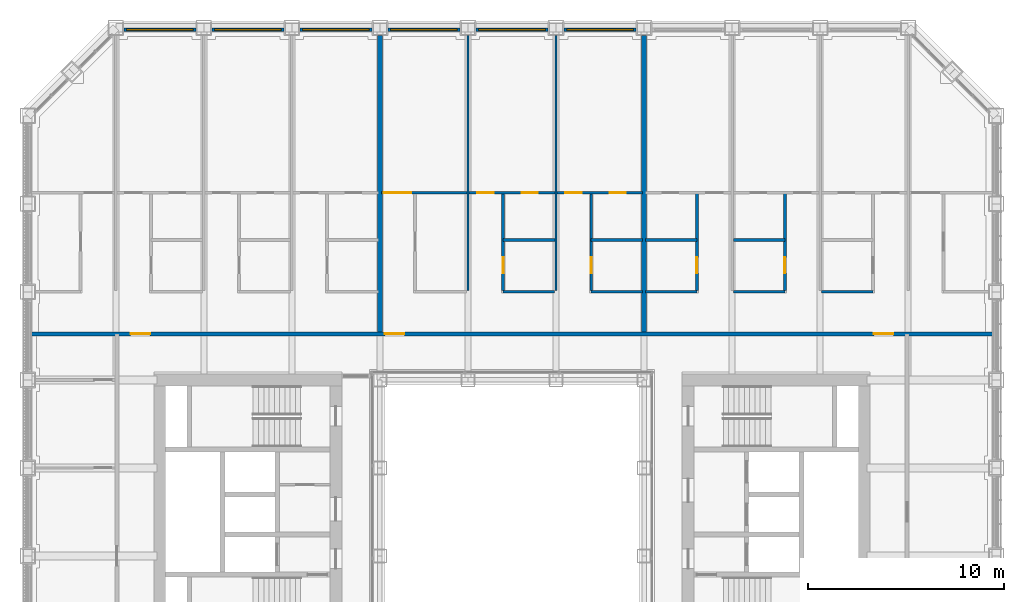
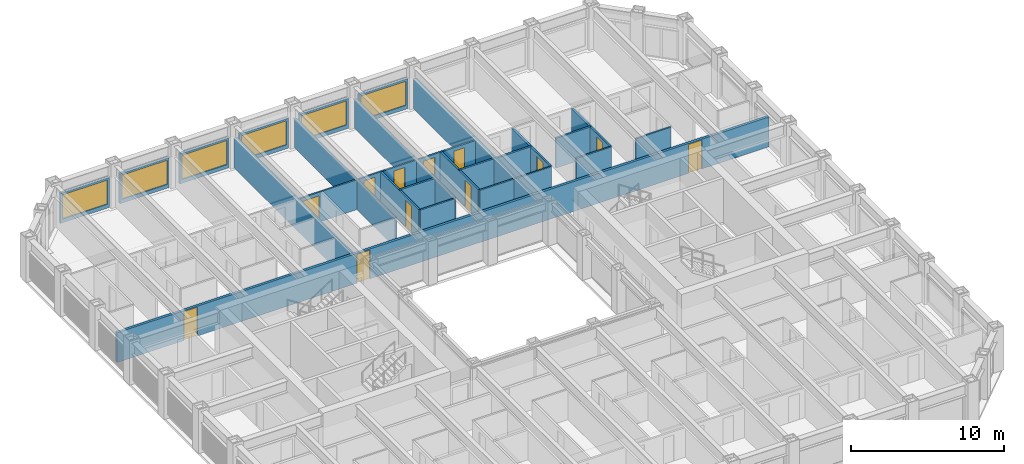
# One storey, part 14 of 21: 27 walls, 12 doors, 6 windows, 18 openings.
"""IFC4 building model written with IfcOpenShell, lengths in metres."""

from ifc_helpers import new_model, si_unit, direction, frame, frame_2d, origin, place, context, subcontext, project, spatial, rectangle, extrude, material, layer, layer_set, type_object, element, fill, save


model = new_model("IFC4")

# Units and contexts
model_context = context("Model", 3, precision=1e-05, world=origin(), true_north=direction((0.0, 1.0)))
body_context = subcontext(model_context, "Body", "Model", "MODEL_VIEW")
ifc_project = project(units=[si_unit("LENGTHUNIT", "METRE"), si_unit("AREAUNIT", "SQUARE_METRE"), si_unit("VOLUMEUNIT", "CUBIC_METRE"), si_unit("PLANEANGLEUNIT", "RADIAN"), si_unit("MASSUNIT", "GRAM", prefix="KILO")], contexts=[model_context])

# Site, building, storey
site_placement = place(None, origin())
site = spatial("IfcSite", under=ifc_project, at=site_placement, CompositionType="ELEMENT")
building_placement = place(site_placement, origin())
building = spatial("IfcBuilding", under=site, at=building_placement, Name="Msasa Ring Tower", CompositionType="ELEMENT")
storey_placement = place(building_placement, frame((0.0, 0.0, 93.0)))
storey = spatial("IfcBuildingStorey", under=building, at=storey_placement, Name="L24", CompositionType="ELEMENT", Elevation=93.0)

# Wall, opening, window
ifc_material_1 = material(Name="Terracotta rainscreen on blockwork", Category="masonry")
ifc_layer_1 = layer(ifc_material_1, 0.199951171875)
ifc_layer_set_1 = layer_set([ifc_layer_1], Name="FW1 TERRACOTTA-LINED INFILL BAY WALL 200")
wall_type_1 = type_object("IfcWallType", Name="FW1 TERRACOTTA-LINED INFILL BAY WALL 200", PredefinedType="SOLIDWALL", material=ifc_layer_set_1)
wall_1_placement = place(storey_placement, frame((-19.844970703125, 24.64990234375, 0.0), z_axis=(0.0, 0.0, 1.0), x_axis=(1.0, 0.0, 0.0)))
wall_1 = element("IfcWall", 1, at=wall_1_placement, inside=storey, type_object=wall_type_1, Name="Infill bay wall N L24 22", PredefinedType="SOLIDWALL", context=body_context, shape_type="SweptSolid", body=[
    extrude(rectangle(XDim=3.68994140625, YDim=0.199951171875, at=frame_2d((1.844970703125, 0.0))), origin(), (0.0, 0.0, 1.0), 2.37890625),
])
opening_1_placement = place(wall_1_placement, frame((0.14501953125, 0.0, 0.300048828125)))
opening_1 = element("IfcOpeningElement", 2, at=opening_1_placement, cuts=wall_1, Name="Opening WN1", PredefinedType="OPENING", context=body_context, shape_type="SweptSolid", body=[
    extrude(rectangle(XDim=3.39990234375, YDim=1.928955078125, at=frame_2d((1.699951171875, 0.96435546875))), frame((0.0, 0.10986328125, 0.0), z_axis=(0.0, -1.0, 0.0), x_axis=(1.0, 0.0, 0.0)), (0.0, 0.0, 1.0), 0.219970703125),
])
ifc_material_2 = material(Name="Aluminium frame with clear glass", Category="aluminium")
window_type = type_object("IfcWindowType", Name="WN1 RESIDENCE WINDOW 3400x1929", PartitioningType="SINGLE_PANEL", PredefinedType="WINDOW", material=ifc_material_2)
window_1_placement = place(opening_1_placement, origin())
window_1 = element("IfcWindow", 3, at=window_1_placement, inside=storey, type_object=window_type, Name="Window N L24 22", OverallHeight=1.928955078125, OverallWidth=3.39990234375, PartitioningType="SINGLE_PANEL", PredefinedType="WINDOW", context=body_context, shape_type="SweptSolid", body=[
    extrude(rectangle(XDim=3.39990234375, YDim=1.928955078125, at=frame_2d((1.699951171875, 0.96435546875))), frame((0.0, 0.030029296875, 0.0), z_axis=(0.0, -1.0, 0.0), x_axis=(1.0, 0.0, 0.0)), (0.0, 0.0, 1.0), 0.06005859375),
])
fill(opening_1, window_1)

wall_2_placement = place(storey_placement, frame((-15.344970703125, 24.64990234375, 0.0), z_axis=(0.0, 0.0, 1.0), x_axis=(1.0, 0.0, 0.0)))
wall_2 = element("IfcWall", 4, at=wall_2_placement, inside=storey, type_object=wall_type_1, Name="Infill bay wall N L24 23", PredefinedType="SOLIDWALL", context=body_context, shape_type="SweptSolid", body=[
    extrude(rectangle(XDim=3.68994140625, YDim=0.199951171875, at=frame_2d((1.844970703125, 0.0))), origin(), (0.0, 0.0, 1.0), 2.37890625),
])
opening_2_placement = place(wall_2_placement, frame((0.14501953125, 0.0, 0.300048828125)))
opening_2 = element("IfcOpeningElement", 5, at=opening_2_placement, cuts=wall_2, Name="Opening WN1", PredefinedType="OPENING", context=body_context, shape_type="SweptSolid", body=[
    extrude(rectangle(XDim=3.39990234375, YDim=1.928955078125, at=frame_2d((1.699951171875, 0.96435546875))), frame((0.0, 0.10986328125, 0.0), z_axis=(0.0, -1.0, 0.0), x_axis=(1.0, 0.0, 0.0)), (0.0, 0.0, 1.0), 0.219970703125),
])
window_2_placement = place(opening_2_placement, origin())
window_2 = element("IfcWindow", 6, at=window_2_placement, inside=storey, type_object=window_type, Name="Window N L24 23", OverallHeight=1.928955078125, OverallWidth=3.39990234375, PartitioningType="SINGLE_PANEL", PredefinedType="WINDOW", context=body_context, shape_type="SweptSolid", body=[
    extrude(rectangle(XDim=3.39990234375, YDim=1.928955078125, at=frame_2d((1.699951171875, 0.96435546875))), frame((0.0, 0.030029296875, 0.0), z_axis=(0.0, -1.0, 0.0), x_axis=(1.0, 0.0, 0.0)), (0.0, 0.0, 1.0), 0.06005859375),
])
fill(opening_2, window_2)

wall_3_placement = place(storey_placement, frame((-10.844970703125, 24.64990234375, 0.0), z_axis=(0.0, 0.0, 1.0), x_axis=(1.0, 0.0, 0.0)))
wall_3 = element("IfcWall", 7, at=wall_3_placement, inside=storey, type_object=wall_type_1, Name="Infill bay wall N L24 24", PredefinedType="SOLIDWALL", context=body_context, shape_type="SweptSolid", body=[
    extrude(rectangle(XDim=3.68994140625, YDim=0.199951171875, at=frame_2d((1.844970703125, 0.0))), origin(), (0.0, 0.0, 1.0), 2.37890625),
])
opening_3_placement = place(wall_3_placement, frame((0.14501953125, 0.0, 0.300048828125)))
opening_3 = element("IfcOpeningElement", 8, at=opening_3_placement, cuts=wall_3, Name="Opening WN1", PredefinedType="OPENING", context=body_context, shape_type="SweptSolid", body=[
    extrude(rectangle(XDim=3.39990234375, YDim=1.928955078125, at=frame_2d((1.699951171875, 0.96435546875))), frame((0.0, 0.10986328125, 0.0), z_axis=(0.0, -1.0, 0.0), x_axis=(1.0, 0.0, 0.0)), (0.0, 0.0, 1.0), 0.219970703125),
])
window_3_placement = place(opening_3_placement, origin())
window_3 = element("IfcWindow", 9, at=window_3_placement, inside=storey, type_object=window_type, Name="Window N L24 24", OverallHeight=1.928955078125, OverallWidth=3.39990234375, PartitioningType="SINGLE_PANEL", PredefinedType="WINDOW", context=body_context, shape_type="SweptSolid", body=[
    extrude(rectangle(XDim=3.39990234375, YDim=1.928955078125, at=frame_2d((1.699951171875, 0.96435546875))), frame((0.0, 0.030029296875, 0.0), z_axis=(0.0, -1.0, 0.0), x_axis=(1.0, 0.0, 0.0)), (0.0, 0.0, 1.0), 0.06005859375),
])
fill(opening_3, window_3)

wall_4_placement = place(storey_placement, frame((-6.344970703125, 24.64990234375, 0.0), z_axis=(0.0, 0.0, 1.0), x_axis=(1.0, 0.0, 0.0)))
wall_4 = element("IfcWall", 10, at=wall_4_placement, inside=storey, type_object=wall_type_1, Name="Infill bay wall N L24 25", PredefinedType="SOLIDWALL", context=body_context, shape_type="SweptSolid", body=[
    extrude(rectangle(XDim=3.68994140625, YDim=0.199951171875, at=frame_2d((1.844970703125, 0.0))), origin(), (0.0, 0.0, 1.0), 2.37890625),
])
opening_4_placement = place(wall_4_placement, frame((0.14501953125, 0.0, 0.300048828125)))
opening_4 = element("IfcOpeningElement", 11, at=opening_4_placement, cuts=wall_4, Name="Opening WN1", PredefinedType="OPENING", context=body_context, shape_type="SweptSolid", body=[
    extrude(rectangle(XDim=3.39990234375, YDim=1.928955078125, at=frame_2d((1.699951171875, 0.96435546875))), frame((0.0, 0.10986328125, 0.0), z_axis=(0.0, -1.0, 0.0), x_axis=(1.0, 0.0, 0.0)), (0.0, 0.0, 1.0), 0.219970703125),
])
window_4_placement = place(opening_4_placement, origin())
window_4 = element("IfcWindow", 12, at=window_4_placement, inside=storey, type_object=window_type, Name="Window N L24 25", OverallHeight=1.928955078125, OverallWidth=3.39990234375, PartitioningType="SINGLE_PANEL", PredefinedType="WINDOW", context=body_context, shape_type="SweptSolid", body=[
    extrude(rectangle(XDim=3.39990234375, YDim=1.928955078125, at=frame_2d((1.699951171875, 0.96435546875))), frame((0.0, 0.030029296875, 0.0), z_axis=(0.0, -1.0, 0.0), x_axis=(1.0, 0.0, 0.0)), (0.0, 0.0, 1.0), 0.06005859375),
])
fill(opening_4, window_4)

wall_5_placement = place(storey_placement, frame((-1.844970703125, 24.64990234375, 0.0), z_axis=(0.0, 0.0, 1.0), x_axis=(1.0, 0.0, 0.0)))
wall_5 = element("IfcWall", 13, at=wall_5_placement, inside=storey, type_object=wall_type_1, Name="Infill bay wall N L24 26", PredefinedType="SOLIDWALL", context=body_context, shape_type="SweptSolid", body=[
    extrude(rectangle(XDim=3.68994140625, YDim=0.199951171875, at=frame_2d((1.844970703125, 0.0))), origin(), (0.0, 0.0, 1.0), 2.37890625),
])
opening_5_placement = place(wall_5_placement, frame((0.14501953125, 0.0, 0.300048828125)))
opening_5 = element("IfcOpeningElement", 14, at=opening_5_placement, cuts=wall_5, Name="Opening WN1", PredefinedType="OPENING", context=body_context, shape_type="SweptSolid", body=[
    extrude(rectangle(XDim=3.39990234375, YDim=1.928955078125, at=frame_2d((1.699951171875, 0.96435546875))), frame((0.0, 0.10986328125, 0.0), z_axis=(0.0, -1.0, 0.0), x_axis=(1.0, 0.0, 0.0)), (0.0, 0.0, 1.0), 0.219970703125),
])
window_5_placement = place(opening_5_placement, origin())
window_5 = element("IfcWindow", 15, at=window_5_placement, inside=storey, type_object=window_type, Name="Window N L24 26", OverallHeight=1.928955078125, OverallWidth=3.39990234375, PartitioningType="SINGLE_PANEL", PredefinedType="WINDOW", context=body_context, shape_type="SweptSolid", body=[
    extrude(rectangle(XDim=3.39990234375, YDim=1.928955078125, at=frame_2d((1.699951171875, 0.96435546875))), frame((0.0, 0.030029296875, 0.0), z_axis=(0.0, -1.0, 0.0), x_axis=(1.0, 0.0, 0.0)), (0.0, 0.0, 1.0), 0.06005859375),
])
fill(opening_5, window_5)

wall_6_placement = place(storey_placement, frame((2.655029296875, 24.64990234375, 0.0), z_axis=(0.0, 0.0, 1.0), x_axis=(1.0, 0.0, 0.0)))
wall_6 = element("IfcWall", 16, at=wall_6_placement, inside=storey, type_object=wall_type_1, Name="Infill bay wall N L24 27", PredefinedType="SOLIDWALL", context=body_context, shape_type="SweptSolid", body=[
    extrude(rectangle(XDim=3.68994140625, YDim=0.199951171875, at=frame_2d((1.844970703125, 0.0))), origin(), (0.0, 0.0, 1.0), 2.37890625),
])
opening_6_placement = place(wall_6_placement, frame((0.14501953125, 0.0, 0.300048828125)))
opening_6 = element("IfcOpeningElement", 17, at=opening_6_placement, cuts=wall_6, Name="Opening WN1", PredefinedType="OPENING", context=body_context, shape_type="SweptSolid", body=[
    extrude(rectangle(XDim=3.39990234375, YDim=1.928955078125, at=frame_2d((1.699951171875, 0.96435546875))), frame((0.0, 0.10986328125, 0.0), z_axis=(0.0, -1.0, 0.0), x_axis=(1.0, 0.0, 0.0)), (0.0, 0.0, 1.0), 0.219970703125),
])
window_6_placement = place(opening_6_placement, origin())
window_6 = element("IfcWindow", 18, at=window_6_placement, inside=storey, type_object=window_type, Name="Window N L24 27", OverallHeight=1.928955078125, OverallWidth=3.39990234375, PartitioningType="SINGLE_PANEL", PredefinedType="WINDOW", context=body_context, shape_type="SweptSolid", body=[
    extrude(rectangle(XDim=3.39990234375, YDim=1.928955078125, at=frame_2d((1.699951171875, 0.96435546875))), frame((0.0, 0.030029296875, 0.0), z_axis=(0.0, -1.0, 0.0), x_axis=(1.0, 0.0, 0.0)), (0.0, 0.0, 1.0), 0.06005859375),
])
fill(opening_6, window_6)

# Wall, openings, doors
ifc_material_3 = material(Name="Concrete blockwork", Category="masonry")
ifc_layer_2 = layer(ifc_material_3, 0.199951171875)
ifc_layer_set_2 = layer_set([ifc_layer_2], Name="PT1 CORRIDOR WALL 200")
wall_type_2 = type_object("IfcWallType", Name="PT1 CORRIDOR WALL 200", PredefinedType="PARTITIONING", material=ifc_layer_set_2)
wall_7_placement = place(storey_placement, frame((-24.550048828125, 9.10009765625, 0.0), z_axis=(0.0, 0.0, 1.0), x_axis=(1.0, 0.0, 0.0)))
wall_7 = element("IfcWall", 19, at=wall_7_placement, inside=storey, type_object=wall_type_2, Name="Corridor wall L24-CORRN0", PredefinedType="PARTITIONING", context=body_context, shape_type="SweptSolid", body=[
    extrude(rectangle(XDim=49.10009765625, YDim=0.199951171875, at=frame_2d((24.550048828125, 0.0))), origin(), (0.0, 0.0, 1.0), 2.373291015625),
])
opening_7_placement = place(wall_7_placement, frame((5.050048828125, 0.0, 0.0)))
opening_7 = element("IfcOpeningElement", 20, at=opening_7_placement, cuts=wall_7, Name="Opening RG-031", PredefinedType="OPENING", context=body_context, shape_type="SweptSolid", body=[
    extrude(rectangle(XDim=1.0, YDim=2.300048828125, at=frame_2d((0.5, 1.14990234375))), frame((0.0, 0.10986328125, 0.0), z_axis=(0.0, -1.0, 0.0), x_axis=(1.0, 0.0, 0.0)), (0.0, 0.0, 1.0), 0.219970703125),
])
opening_8_placement = place(wall_7_placement, frame((18.050048828125, 0.0, 0.0)))
opening_8 = element("IfcOpeningElement", 21, at=opening_8_placement, cuts=wall_7, Name="Opening RG-032", PredefinedType="OPENING", context=body_context, shape_type="SweptSolid", body=[
    extrude(rectangle(XDim=1.0, YDim=2.300048828125, at=frame_2d((0.5, 1.14990234375))), frame((0.0, 0.10986328125, 0.0), z_axis=(0.0, -1.0, 0.0), x_axis=(1.0, 0.0, 0.0)), (0.0, 0.0, 1.0), 0.219970703125),
])
opening_9_placement = place(wall_7_placement, frame((43.050048828125, 0.0, 0.0)))
opening_9 = element("IfcOpeningElement", 22, at=opening_9_placement, cuts=wall_7, Name="Opening RG-033", PredefinedType="OPENING", context=body_context, shape_type="SweptSolid", body=[
    extrude(rectangle(XDim=1.0, YDim=2.300048828125, at=frame_2d((0.5, 1.14990234375))), frame((0.0, 0.10986328125, 0.0), z_axis=(0.0, -1.0, 0.0), x_axis=(1.0, 0.0, 0.0)), (0.0, 0.0, 1.0), 0.219970703125),
])
ifc_material_4 = material(Name="Timber door leaf in a steel frame", Category="steel")
door_type_1 = type_object("IfcDoorType", Name="D16 UPPER RESIDENCE ENTRANCE DOOR 1000x2300", OperationType="SINGLE_SWING_LEFT", PredefinedType="DOOR", material=ifc_material_4)
door_1_placement = place(opening_7_placement, origin())
door_1 = element("IfcDoor", 23, at=door_1_placement, inside=storey, type_object=door_type_1, Name="Door L24-UN00", OperationType="SINGLE_SWING_LEFT", OverallHeight=2.300048828125, OverallWidth=1.0, PredefinedType="DOOR", context=body_context, shape_type="SweptSolid", body=[
    extrude(rectangle(XDim=1.0, YDim=2.300048828125, at=frame_2d((0.5, 1.14990234375))), frame((0.0, 0.02490234375, 0.0), z_axis=(0.0, -1.0, 0.0), x_axis=(1.0, 0.0, 0.0)), (0.0, 0.0, 1.0), 0.050048828125),
])
fill(opening_7, door_1)
door_2_placement = place(opening_8_placement, origin())
door_2 = element("IfcDoor", 24, at=door_2_placement, inside=storey, type_object=door_type_1, Name="Door L24-UN01", OperationType="SINGLE_SWING_LEFT", OverallHeight=2.300048828125, OverallWidth=1.0, PredefinedType="DOOR", context=body_context, shape_type="SweptSolid", body=[
    extrude(rectangle(XDim=1.0, YDim=2.300048828125, at=frame_2d((0.5, 1.14990234375))), frame((0.0, 0.02490234375, 0.0), z_axis=(0.0, -1.0, 0.0), x_axis=(1.0, 0.0, 0.0)), (0.0, 0.0, 1.0), 0.050048828125),
])
fill(opening_8, door_2)
door_3_placement = place(opening_9_placement, origin())
door_3 = element("IfcDoor", 25, at=door_3_placement, inside=storey, type_object=door_type_1, Name="Door L24-UN02", OperationType="SINGLE_SWING_RIGHT", OverallHeight=2.300048828125, OverallWidth=1.0, PredefinedType="DOOR", context=body_context, shape_type="SweptSolid", body=[
    extrude(rectangle(XDim=1.0, YDim=2.300048828125, at=frame_2d((0.5, 1.14990234375))), frame((0.0, 0.02490234375, 0.0), z_axis=(0.0, -1.0, 0.0), x_axis=(1.0, 0.0, 0.0)), (0.0, 0.0, 1.0), 0.050048828125),
])
fill(opening_9, door_3)

# Walls
ifc_material_5 = material(Name="Dense concrete blockwork, plastered both faces", Category="masonry")
ifc_layer_3 = layer(ifc_material_5, 0.25)
ifc_layer_set_3 = layer_set([ifc_layer_3], Name="PT3 APARTMENT SEPARATING WALL 250")
wall_type_3 = type_object("IfcWallType", Name="PT3 APARTMENT SEPARATING WALL 250", PredefinedType="PARTITIONING", material=ifc_layer_set_3)
for number, where, z_axis, x_axis, name in (
    (26, (-6.75, 9.199951171875, 0.0), (0.0, 0.0, 1.0), (0.0, 1.0, 0.0), "Party wall L24-PWN-6.75"),
    (27, (6.75, 9.199951171875, 0.0), (0.0, 0.0, 1.0), (0.0, 1.0, 0.0), "Party wall L24-PWN+6.75"),
):
    element("IfcWall", number, at=place(storey_placement, frame(where, z_axis=z_axis, x_axis=x_axis)), inside=storey, type_object=wall_type_3, Name=name, PredefinedType="PARTITIONING", context=body_context, shape_type="SweptSolid", body=[
        extrude(rectangle(XDim=15.150146484375, YDim=0.25, at=frame_2d((7.5751953125, 0.0))), origin(), (0.0, 0.0, 1.0), 2.373291015625),
    ])

# Wall, opening, door
ifc_material_6 = material(Name="Moisture-resistant board on steel studs with a concealed cistern and pipe void, tiled", Category="steel")
ifc_layer_4 = layer(ifc_material_6, 0.14990234375)
ifc_layer_set_4 = layer_set([ifc_layer_4], Name="PT4 BATHROOM WET WALL 150")
wall_type_4 = type_object("IfcWallType", Name="PT4 BATHROOM WET WALL 150", PredefinedType="PARTITIONING", material=ifc_layer_set_4)
wall_8_placement = place(storey_placement, frame((-0.449951171875, 11.3125, 0.0), z_axis=(0.0, 0.0, 1.0), x_axis=(0.0, 1.0, 0.0)))
wall_8 = element("IfcWall", 28, at=wall_8_placement, inside=storey, type_object=wall_type_4, Name="Partition L24-UN01SX1", PredefinedType="PARTITIONING", context=body_context, shape_type="SweptSolid", body=[
    extrude(rectangle(XDim=5.0, YDim=0.14990234375, at=frame_2d((2.5, 0.0))), origin(), (0.0, 0.0, 1.0), 2.373291015625),
])
opening_10_placement = place(wall_8_placement, frame((0.89990234375, 0.0, 0.0)))
opening_10 = element("IfcOpeningElement", 29, at=opening_10_placement, cuts=wall_8, Name="Opening RG-026", PredefinedType="OPENING", context=body_context, shape_type="SweptSolid", body=[
    extrude(rectangle(XDim=0.800048828125, YDim=2.10009765625, at=frame_2d((0.39990234375, 1.050048828125))), frame((0.0, 0.0849609375, 0.0), z_axis=(0.0, -1.0, 0.0), x_axis=(1.0, 0.0, 0.0)), (0.0, 0.0, 1.0), 0.169921875),
])
ifc_material_7 = material(Name="Timber door leaf in a steel frame", Category="steel")
door_type_2 = type_object("IfcDoorType", Name="D21 POCKET SLIDING BATHROOM DOOR 800x2100", OperationType="SINGLE_SWING_LEFT", PredefinedType="DOOR", material=ifc_material_7)
door_4_placement = place(opening_10_placement, origin())
door_4 = element("IfcDoor", 30, at=door_4_placement, inside=storey, type_object=door_type_2, Name="Door L24-UN01B1", OperationType="SINGLE_SWING_LEFT", OverallHeight=2.10009765625, OverallWidth=0.800048828125, PredefinedType="DOOR", context=body_context, shape_type="SweptSolid", body=[
    extrude(rectangle(XDim=0.800048828125, YDim=2.10009765625, at=frame_2d((0.39990234375, 1.050048828125))), frame((0.0, 0.02490234375, 0.0), z_axis=(0.0, -1.0, 0.0), x_axis=(1.0, 0.0, 0.0)), (0.0, 0.0, 1.0), 0.050048828125),
])
fill(opening_10, door_4)

# Wall
wall_9_placement = place(storey_placement, frame((-0.449951171875, 13.91259765625, 0.0), z_axis=(0.0, 0.0, 1.0), x_axis=(1.0, 0.0, 0.0)))
element("IfcWall", 31, at=wall_9_placement, inside=storey, type_object=wall_type_4, Name="Partition L24-UN01SB1", PredefinedType="PARTITIONING", context=body_context, shape_type="SweptSolid", body=[
    extrude(rectangle(XDim=2.637451171875, YDim=0.14990234375, at=frame_2d((1.31884765625, 0.0))), origin(), (0.0, 0.0, 1.0), 2.373291015625),
])

# Wall, opening, door
wall_10_placement = place(storey_placement, frame((4.050048828125, 11.3125, 0.0), z_axis=(0.0, 0.0, 1.0), x_axis=(0.0, 1.0, 0.0)))
wall_10 = element("IfcWall", 32, at=wall_10_placement, inside=storey, type_object=wall_type_4, Name="Partition L24-UN01SX2", PredefinedType="PARTITIONING", context=body_context, shape_type="SweptSolid", body=[
    extrude(rectangle(XDim=5.0, YDim=0.14990234375, at=frame_2d((2.5, 0.0))), origin(), (0.0, 0.0, 1.0), 2.373291015625),
])
opening_11_placement = place(wall_10_placement, frame((0.89990234375, 0.0, 0.0)))
opening_11 = element("IfcOpeningElement", 33, at=opening_11_placement, cuts=wall_10, Name="Opening RG-027", PredefinedType="OPENING", context=body_context, shape_type="SweptSolid", body=[
    extrude(rectangle(XDim=0.800048828125, YDim=2.10009765625, at=frame_2d((0.39990234375, 1.050048828125))), frame((0.0, 0.0849609375, 0.0), z_axis=(0.0, -1.0, 0.0), x_axis=(1.0, 0.0, 0.0)), (0.0, 0.0, 1.0), 0.169921875),
])
door_5_placement = place(opening_11_placement, origin())
door_5 = element("IfcDoor", 34, at=door_5_placement, inside=storey, type_object=door_type_2, Name="Door L24-UN01B2", OperationType="SINGLE_SWING_LEFT", OverallHeight=2.10009765625, OverallWidth=0.800048828125, PredefinedType="DOOR", context=body_context, shape_type="SweptSolid", body=[
    extrude(rectangle(XDim=0.800048828125, YDim=2.10009765625, at=frame_2d((0.39990234375, 1.050048828125))), frame((0.0, 0.02490234375, 0.0), z_axis=(0.0, -1.0, 0.0), x_axis=(1.0, 0.0, 0.0)), (0.0, 0.0, 1.0), 0.050048828125),
])
fill(opening_11, door_5)

# Wall
wall_11_placement = place(storey_placement, frame((4.050048828125, 13.91259765625, 0.0), z_axis=(0.0, 0.0, 1.0), x_axis=(1.0, 0.0, 0.0)))
element("IfcWall", 35, at=wall_11_placement, inside=storey, type_object=wall_type_4, Name="Partition L24-UN01SB2", PredefinedType="PARTITIONING", context=body_context, shape_type="SweptSolid", body=[
    extrude(rectangle(XDim=2.632568359375, YDim=0.14990234375, at=frame_2d((1.31640625, 0.0))), origin(), (0.0, 0.0, 1.0), 2.373291015625),
])

# Wall, opening, door
wall_12_placement = place(storey_placement, frame((13.949951171875, 11.3125, 0.0), z_axis=(0.0, 0.0, 1.0), x_axis=(0.0, 1.0, 0.0)))
wall_12 = element("IfcWall", 36, at=wall_12_placement, inside=storey, type_object=wall_type_4, Name="Partition L24-UN02SX2", PredefinedType="PARTITIONING", context=body_context, shape_type="SweptSolid", body=[
    extrude(rectangle(XDim=5.0, YDim=0.14990234375, at=frame_2d((2.5, 0.0))), origin(), (0.0, 0.0, 1.0), 2.373291015625),
])
opening_12_placement = place(wall_12_placement, frame((0.89990234375, 0.0, 0.0)))
opening_12 = element("IfcOpeningElement", 37, at=opening_12_placement, cuts=wall_12, Name="Opening RG-029", PredefinedType="OPENING", context=body_context, shape_type="SweptSolid", body=[
    extrude(rectangle(XDim=0.800048828125, YDim=2.10009765625, at=frame_2d((0.39990234375, 1.050048828125))), frame((0.0, 0.0849609375, 0.0), z_axis=(0.0, -1.0, 0.0), x_axis=(1.0, 0.0, 0.0)), (0.0, 0.0, 1.0), 0.169921875),
])
door_6_placement = place(opening_12_placement, origin())
door_6 = element("IfcDoor", 38, at=door_6_placement, inside=storey, type_object=door_type_2, Name="Door L24-UN02B2", OperationType="SINGLE_SWING_LEFT", OverallHeight=2.10009765625, OverallWidth=0.800048828125, PredefinedType="DOOR", context=body_context, shape_type="SweptSolid", body=[
    extrude(rectangle(XDim=0.800048828125, YDim=2.10009765625, at=frame_2d((0.39990234375, 1.050048828125))), frame((0.0, 0.02490234375, 0.0), z_axis=(0.0, -1.0, 0.0), x_axis=(1.0, 0.0, 0.0)), (0.0, 0.0, 1.0), 0.050048828125),
])
fill(opening_12, door_6)

# Wall
wall_13_placement = place(storey_placement, frame((11.3125, 13.91259765625, 0.0), z_axis=(0.0, 0.0, 1.0), x_axis=(1.0, 0.0, 0.0)))
element("IfcWall", 39, at=wall_13_placement, inside=storey, type_object=wall_type_4, Name="Partition L24-UN02SB2", PredefinedType="PARTITIONING", context=body_context, shape_type="SweptSolid", body=[
    extrude(rectangle(XDim=2.637451171875, YDim=0.14990234375, at=frame_2d((1.31884765625, 0.0))), origin(), (0.0, 0.0, 1.0), 2.373291015625),
])

# Wall, opening, door
wall_14_placement = place(storey_placement, frame((9.449951171875, 11.3125, 0.0), z_axis=(0.0, 0.0, 1.0), x_axis=(0.0, 1.0, 0.0)))
wall_14 = element("IfcWall", 40, at=wall_14_placement, inside=storey, type_object=wall_type_4, Name="Partition L24-UN02SX3", PredefinedType="PARTITIONING", context=body_context, shape_type="SweptSolid", body=[
    extrude(rectangle(XDim=5.0, YDim=0.14990234375, at=frame_2d((2.5, 0.0))), origin(), (0.0, 0.0, 1.0), 2.373291015625),
])
opening_13_placement = place(wall_14_placement, frame((0.89990234375, 0.0, 0.0)))
opening_13 = element("IfcOpeningElement", 41, at=opening_13_placement, cuts=wall_14, Name="Opening RG-028", PredefinedType="OPENING", context=body_context, shape_type="SweptSolid", body=[
    extrude(rectangle(XDim=0.800048828125, YDim=2.10009765625, at=frame_2d((0.39990234375, 1.050048828125))), frame((0.0, 0.0849609375, 0.0), z_axis=(0.0, -1.0, 0.0), x_axis=(1.0, 0.0, 0.0)), (0.0, 0.0, 1.0), 0.169921875),
])
door_7_placement = place(opening_13_placement, origin())
door_7 = element("IfcDoor", 42, at=door_7_placement, inside=storey, type_object=door_type_2, Name="Door L24-UN02B3", OperationType="SINGLE_SWING_LEFT", OverallHeight=2.10009765625, OverallWidth=0.800048828125, PredefinedType="DOOR", context=body_context, shape_type="SweptSolid", body=[
    extrude(rectangle(XDim=0.800048828125, YDim=2.10009765625, at=frame_2d((0.39990234375, 1.050048828125))), frame((0.0, 0.02490234375, 0.0), z_axis=(0.0, -1.0, 0.0), x_axis=(1.0, 0.0, 0.0)), (0.0, 0.0, 1.0), 0.050048828125),
])
fill(opening_13, door_7)

# Wall
wall_15_placement = place(storey_placement, frame((6.8173828125, 13.91259765625, 0.0), z_axis=(0.0, 0.0, 1.0), x_axis=(1.0, 0.0, 0.0)))
element("IfcWall", 43, at=wall_15_placement, inside=storey, type_object=wall_type_4, Name="Partition L24-UN02SB3", PredefinedType="PARTITIONING", context=body_context, shape_type="SweptSolid", body=[
    extrude(rectangle(XDim=2.632568359375, YDim=0.14990234375, at=frame_2d((1.31640625, 0.0))), origin(), (0.0, 0.0, 1.0), 2.373291015625),
])

# Wall, opening, door
ifc_material_8 = material(Name="Two layers of acoustic board each face on steel studs, mineral wool", Category="steel")
ifc_layer_5 = layer(ifc_material_8, 0.125)
ifc_layer_set_5 = layer_set([ifc_layer_5], Name="PT6 ACOUSTIC DOUBLE-BOARD PARTITION 125")
wall_type_5 = type_object("IfcWallType", Name="PT6 ACOUSTIC DOUBLE-BOARD PARTITION 125", PredefinedType="PARTITIONING", material=ifc_layer_set_5)
wall_16_placement = place(storey_placement, frame((-6.6826171875, 16.3125, 0.0), z_axis=(0.0, 0.0, 1.0), x_axis=(1.0, 0.0, 0.0)))
wall_16 = element("IfcWall", 44, at=wall_16_placement, inside=storey, type_object=wall_type_5, Name="Partition L24-UN01SY0", PredefinedType="PARTITIONING", context=body_context, shape_type="SweptSolid", body=[
    extrude(rectangle(XDim=4.3701171875, YDim=0.125, at=frame_2d((2.18505859375, 0.0))), origin(), (0.0, 0.0, 1.0), 2.373291015625),
])
opening_14_placement = place(wall_16_placement, frame((0.132568359375, 0.0, 0.0)))
opening_14 = element("IfcOpeningElement", 45, at=opening_14_placement, cuts=wall_16, Name="Opening RG-008", PredefinedType="OPENING", context=body_context, shape_type="SweptSolid", body=[
    extrude(rectangle(XDim=1.39990234375, YDim=2.10009765625, at=frame_2d((0.699951171875, 1.050048828125))), frame((0.0, 0.072509765625, 0.0), z_axis=(0.0, -1.0, 0.0), x_axis=(1.0, 0.0, 0.0)), (0.0, 0.0, 1.0), 0.14501953125),
])
ifc_material_9 = material(Name="Timber door leaf in a steel frame", Category="steel")
door_type_3 = type_object("IfcDoorType", Name="D15 LIVING ROOM PAIR OF GLAZED DOORS 1400x2100", OperationType="SINGLE_SWING_LEFT", PredefinedType="DOOR", material=ifc_material_9)
door_8_placement = place(opening_14_placement, origin())
door_8 = element("IfcDoor", 46, at=door_8_placement, inside=storey, type_object=door_type_3, Name="Door L24-UN01L", OperationType="SINGLE_SWING_LEFT", OverallHeight=2.10009765625, OverallWidth=1.39990234375, PredefinedType="DOOR", context=body_context, shape_type="SweptSolid", body=[
    extrude(rectangle(XDim=1.39990234375, YDim=2.10009765625, at=frame_2d((0.699951171875, 1.050048828125))), frame((0.0, 0.02490234375, 0.0), z_axis=(0.0, -1.0, 0.0), x_axis=(1.0, 0.0, 0.0)), (0.0, 0.0, 1.0), 0.050048828125),
])
fill(opening_14, door_8)

# Walls
wall_17_placement = place(storey_placement, frame((-2.25, 11.3125, 0.0), z_axis=(0.0, 0.0, 1.0), x_axis=(0.0, 1.0, 0.0)))
element("IfcWall", 47, at=wall_17_placement, inside=storey, type_object=wall_type_5, Name="Partition L24-UN01P1", PredefinedType="PARTITIONING", context=body_context, shape_type="SweptSolid", body=[
    extrude(rectangle(XDim=13.03759765625, YDim=0.125, at=frame_2d((6.518798828125, 0.0))), origin(), (0.0, 0.0, 1.0), 2.373291015625),
])
wall_18_placement = place(storey_placement, frame((-0.449951171875, 11.25, 0.0), z_axis=(0.0, 0.0, 1.0), x_axis=(1.0, 0.0, 0.0)))
element("IfcWall", 48, at=wall_18_placement, inside=storey, type_object=wall_type_5, Name="Partition L24-UN01HY1", PredefinedType="PARTITIONING", context=body_context, shape_type="SweptSolid", body=[
    extrude(rectangle(XDim=2.632568359375, YDim=0.125, at=frame_2d((1.31640625, 0.0))), origin(), (0.0, 0.0, 1.0), 2.373291015625),
])

# Wall, openings, doors
wall_19_placement = place(storey_placement, frame((-2.1875, 16.3125, 0.0), z_axis=(0.0, 0.0, 1.0), x_axis=(1.0, 0.0, 0.0)))
wall_19 = element("IfcWall", 49, at=wall_19_placement, inside=storey, type_object=wall_type_5, Name="Partition L24-UN01SY1", PredefinedType="PARTITIONING", context=body_context, shape_type="SweptSolid", body=[
    extrude(rectangle(XDim=4.375, YDim=0.125, at=frame_2d((2.1875, 0.0))), origin(), (0.0, 0.0, 1.0), 2.373291015625),
])
opening_15_placement = place(wall_19_placement, frame((0.41259765625, 0.0, 0.0)))
opening_15 = element("IfcOpeningElement", 50, at=opening_15_placement, cuts=wall_19, Name="Opening RG-009", PredefinedType="OPENING", context=body_context, shape_type="SweptSolid", body=[
    extrude(rectangle(XDim=0.85009765625, YDim=2.10009765625, at=frame_2d((0.425048828125, 1.050048828125))), frame((0.0, 0.072509765625, 0.0), z_axis=(0.0, -1.0, 0.0), x_axis=(1.0, 0.0, 0.0)), (0.0, 0.0, 1.0), 0.14501953125),
])
opening_16_placement = place(wall_19_placement, frame((2.69384765625, 0.0, 0.0)))
opening_16 = element("IfcOpeningElement", 51, at=opening_16_placement, cuts=wall_19, Name="Opening RG-010", PredefinedType="OPENING", context=body_context, shape_type="SweptSolid", body=[
    extrude(rectangle(XDim=0.800048828125, YDim=2.10009765625, at=frame_2d((0.39990234375, 1.050048828125))), frame((0.0, 0.072509765625, 0.0), z_axis=(0.0, -1.0, 0.0), x_axis=(1.0, 0.0, 0.0)), (0.0, 0.0, 1.0), 0.14501953125),
])
ifc_material_10 = material(Name="Timber door leaf in a steel frame", Category="steel")
door_type_4 = type_object("IfcDoorType", Name="D14 BEDROOM DOOR 850x2100", OperationType="SINGLE_SWING_LEFT", PredefinedType="DOOR", material=ifc_material_10)
door_9_placement = place(opening_15_placement, origin())
door_9 = element("IfcDoor", 52, at=door_9_placement, inside=storey, type_object=door_type_4, Name="Door L24-UN01R1", OperationType="SINGLE_SWING_LEFT", OverallHeight=2.10009765625, OverallWidth=0.85009765625, PredefinedType="DOOR", context=body_context, shape_type="SweptSolid", body=[
    extrude(rectangle(XDim=0.85009765625, YDim=2.10009765625, at=frame_2d((0.425048828125, 1.050048828125))), frame((0.0, 0.02490234375, 0.0), z_axis=(0.0, -1.0, 0.0), x_axis=(1.0, 0.0, 0.0)), (0.0, 0.0, 1.0), 0.050048828125),
])
fill(opening_15, door_9)
ifc_material_11 = material(Name="Timber door leaf in a steel frame", Category="steel")
door_type_5 = type_object("IfcDoorType", Name="D60 DRESSING ROOM DOOR 800x2100", OperationType="SINGLE_SWING_LEFT", PredefinedType="DOOR", material=ifc_material_11)
door_10_placement = place(opening_16_placement, origin())
door_10 = element("IfcDoor", 53, at=door_10_placement, inside=storey, type_object=door_type_5, Name="Door L24-UN01W1", OperationType="SINGLE_SWING_RIGHT", OverallHeight=2.10009765625, OverallWidth=0.800048828125, PredefinedType="DOOR", context=body_context, shape_type="SweptSolid", body=[
    extrude(rectangle(XDim=0.800048828125, YDim=2.10009765625, at=frame_2d((0.39990234375, 1.050048828125))), frame((0.0, 0.02490234375, 0.0), z_axis=(0.0, -1.0, 0.0), x_axis=(1.0, 0.0, 0.0)), (0.0, 0.0, 1.0), 0.050048828125),
])
fill(opening_16, door_10)

# Walls
wall_20_placement = place(storey_placement, frame((2.25, 11.3125, 0.0), z_axis=(0.0, 0.0, 1.0), x_axis=(0.0, 1.0, 0.0)))
element("IfcWall", 54, at=wall_20_placement, inside=storey, type_object=wall_type_5, Name="Partition L24-UN01P2", PredefinedType="PARTITIONING", context=body_context, shape_type="SweptSolid", body=[
    extrude(rectangle(XDim=13.03759765625, YDim=0.125, at=frame_2d((6.518798828125, 0.0))), origin(), (0.0, 0.0, 1.0), 2.373291015625),
])
wall_21_placement = place(storey_placement, frame((4.050048828125, 11.25, 0.0), z_axis=(0.0, 0.0, 1.0), x_axis=(1.0, 0.0, 0.0)))
element("IfcWall", 55, at=wall_21_placement, inside=storey, type_object=wall_type_5, Name="Partition L24-UN01HY2", PredefinedType="PARTITIONING", context=body_context, shape_type="SweptSolid", body=[
    extrude(rectangle(XDim=2.632568359375, YDim=0.125, at=frame_2d((1.31640625, 0.0))), origin(), (0.0, 0.0, 1.0), 2.373291015625),
])

# Wall, openings, doors
wall_22_placement = place(storey_placement, frame((2.3125, 16.3125, 0.0), z_axis=(0.0, 0.0, 1.0), x_axis=(1.0, 0.0, 0.0)))
wall_22 = element("IfcWall", 56, at=wall_22_placement, inside=storey, type_object=wall_type_5, Name="Partition L24-UN01SY2", PredefinedType="PARTITIONING", context=body_context, shape_type="SweptSolid", body=[
    extrude(rectangle(XDim=4.3701171875, YDim=0.125, at=frame_2d((2.18505859375, 0.0))), origin(), (0.0, 0.0, 1.0), 2.373291015625),
])
opening_17_placement = place(wall_22_placement, frame((0.41259765625, 0.0, 0.0)))
opening_17 = element("IfcOpeningElement", 57, at=opening_17_placement, cuts=wall_22, Name="Opening RG-011", PredefinedType="OPENING", context=body_context, shape_type="SweptSolid", body=[
    extrude(rectangle(XDim=0.85009765625, YDim=2.10009765625, at=frame_2d((0.425048828125, 1.050048828125))), frame((0.0, 0.072509765625, 0.0), z_axis=(0.0, -1.0, 0.0), x_axis=(1.0, 0.0, 0.0)), (0.0, 0.0, 1.0), 0.14501953125),
])
opening_18_placement = place(wall_22_placement, frame((2.693603515625, 0.0, 0.0)))
opening_18 = element("IfcOpeningElement", 58, at=opening_18_placement, cuts=wall_22, Name="Opening RG-012", PredefinedType="OPENING", context=body_context, shape_type="SweptSolid", body=[
    extrude(rectangle(XDim=0.800048828125, YDim=2.10009765625, at=frame_2d((0.39990234375, 1.050048828125))), frame((0.0, 0.072509765625, 0.0), z_axis=(0.0, -1.0, 0.0), x_axis=(1.0, 0.0, 0.0)), (0.0, 0.0, 1.0), 0.14501953125),
])
door_11_placement = place(opening_17_placement, origin())
door_11 = element("IfcDoor", 59, at=door_11_placement, inside=storey, type_object=door_type_4, Name="Door L24-UN01R2", OperationType="SINGLE_SWING_LEFT", OverallHeight=2.10009765625, OverallWidth=0.85009765625, PredefinedType="DOOR", context=body_context, shape_type="SweptSolid", body=[
    extrude(rectangle(XDim=0.85009765625, YDim=2.10009765625, at=frame_2d((0.425048828125, 1.050048828125))), frame((0.0, 0.02490234375, 0.0), z_axis=(0.0, -1.0, 0.0), x_axis=(1.0, 0.0, 0.0)), (0.0, 0.0, 1.0), 0.050048828125),
])
fill(opening_17, door_11)
door_12_placement = place(opening_18_placement, origin())
door_12 = element("IfcDoor", 60, at=door_12_placement, inside=storey, type_object=door_type_5, Name="Door L24-UN01W2", OperationType="SINGLE_SWING_RIGHT", OverallHeight=2.10009765625, OverallWidth=0.800048828125, PredefinedType="DOOR", context=body_context, shape_type="SweptSolid", body=[
    extrude(rectangle(XDim=0.800048828125, YDim=2.10009765625, at=frame_2d((0.39990234375, 1.050048828125))), frame((0.0, 0.02490234375, 0.0), z_axis=(0.0, -1.0, 0.0), x_axis=(1.0, 0.0, 0.0)), (0.0, 0.0, 1.0), 0.050048828125),
])
fill(opening_18, door_12)

# Walls
for number, where, z_axis, x_axis, name in (
    (61, (15.8173828125, 11.25, 0.0), (0.0, 0.0, 1.0), (1.0, 0.0, 0.0), "Partition L24-UN02HY1"),
    (62, (11.3173828125, 11.25, 0.0), (0.0, 0.0, 1.0), (1.0, 0.0, 0.0), "Partition L24-UN02HY2"),
    (63, (6.8173828125, 11.25, 0.0), (0.0, 0.0, 1.0), (1.0, 0.0, 0.0), "Partition L24-UN02HY3"),
):
    element("IfcWall", number, at=place(storey_placement, frame(where, z_axis=z_axis, x_axis=x_axis)), inside=storey, type_object=wall_type_5, Name=name, PredefinedType="PARTITIONING", context=body_context, shape_type="SweptSolid", body=[
        extrude(rectangle(XDim=2.632568359375, YDim=0.125, at=frame_2d((1.31640625, 0.0))), origin(), (0.0, 0.0, 1.0), 2.373291015625),
    ])

save(model, "model.ifc")
